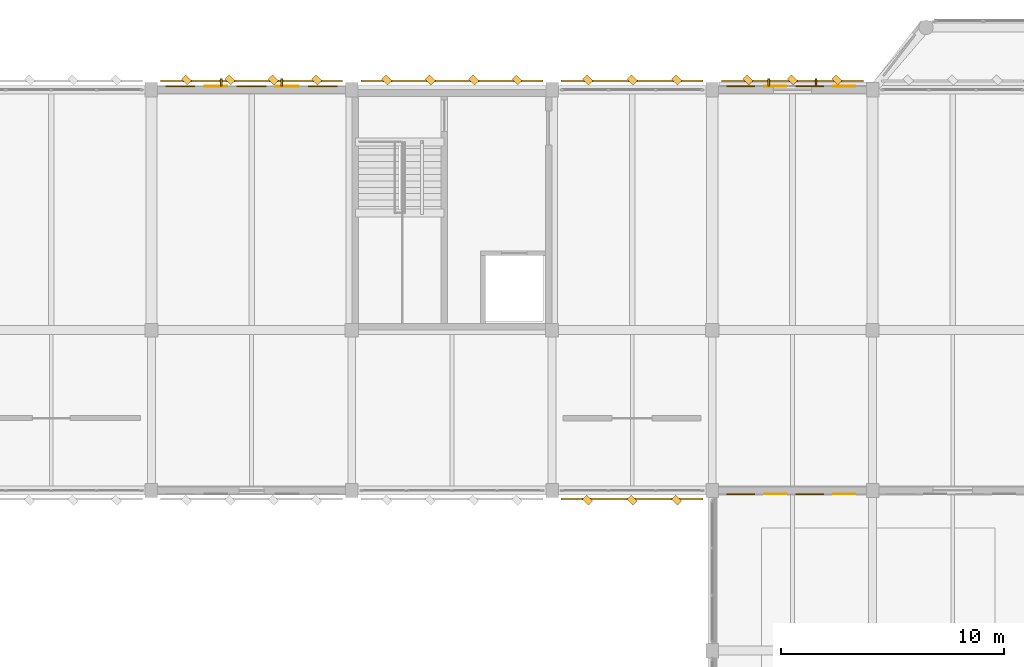
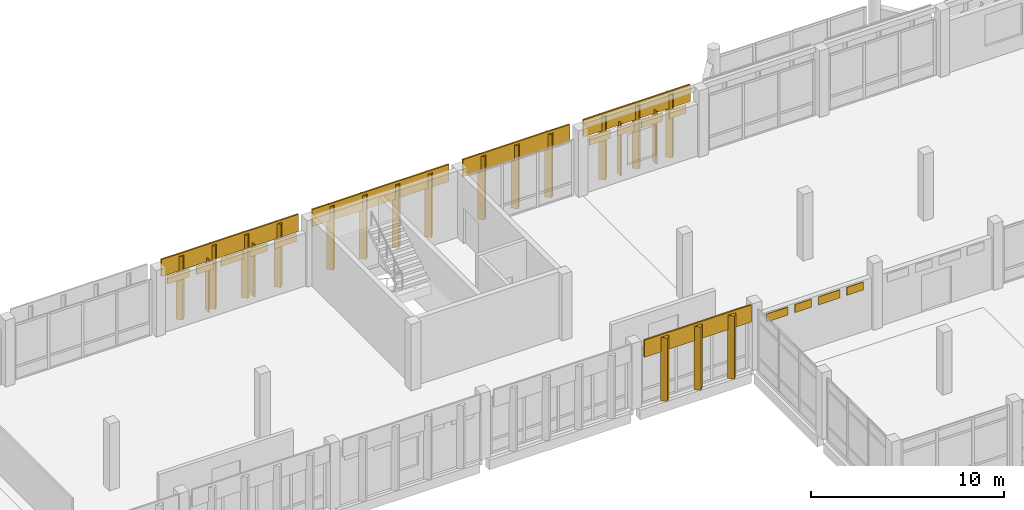
# One storey, part 152 of 158: 39 coverings.
"""IFC4 building model written with IfcOpenShell, lengths in metres."""

from ifc_helpers import new_model, si_unit, direction, frame, origin, origin_2d, place, context, subcontext, project, spatial, rectangle, extrude, material, layer, layer_set, type_object, element, save


model = new_model("IFC4")

# Units and contexts
model_context = context("Model", 3, precision=1e-05, world=origin(), true_north=direction((0.0, 1.0)))
body_context = subcontext(model_context, "Body", "Model", "MODEL_VIEW")
ifc_project = project(units=[si_unit("LENGTHUNIT", "METRE"), si_unit("AREAUNIT", "SQUARE_METRE"), si_unit("VOLUMEUNIT", "CUBIC_METRE"), si_unit("PLANEANGLEUNIT", "RADIAN"), si_unit("MASSUNIT", "GRAM", prefix="KILO")], contexts=[model_context])

# Site, building, storey
site_placement = place(None, origin())
site = spatial("IfcSite", under=ifc_project, at=site_placement, CompositionType="ELEMENT")
building_placement = place(site_placement, origin())
building = spatial("IfcBuilding", under=site, at=building_placement, Name="Lusvemor Sports Hall", CompositionType="ELEMENT")
storey_placement = place(building_placement, frame((0.0, 0.0, 10.800048828125)))
storey = spatial("IfcBuildingStorey", under=building, at=storey_placement, Name="L02", CompositionType="ELEMENT", Elevation=10.800048828125)

# Coverings
ifc_material_1 = material(Name="Emerald polychrome glazed ceramic cladding on Concrete C40/50 backing", Category="concrete")
ifc_layer_1 = layer(ifc_material_1, 0.0458984375)
ifc_layer_set_1 = layer_set([ifc_layer_1], Name="Emerald polychrome glazed ceramic cladding on Concrete C40/50 backing")
covering_type_1 = type_object("IfcCoveringType", Name="CLAD_WAVE_EMERALD", PredefinedType="CLADDING", material=ifc_layer_set_1)
for number, where, z_axis, x_axis, name in (
    (1, (94.89990234375, 115.365478515625, 2.7451171875), (0.0, 0.0, 1.0), (1.0, 0.0, 0.0), "Art Nouveau Patterned Cladding PS-EW-L02-N-1-9-1"),
    (2, (98.10009765625, 115.365478515625, 2.7451171875), (0.0, 0.0, 1.0), (1.0, 0.0, 0.0), "Art Nouveau Patterned Cladding PS-EW-L02-N-1-9-3"),
    (3, (101.300048828125, 115.365478515625, 2.7451171875), (0.0, 0.0, 1.0), (1.0, 0.0, 0.0), "Art Nouveau Patterned Cladding PS-EW-L02-N-1-9-5"),
):
    element("IfcCovering", number, at=place(storey_placement, frame(where, z_axis=z_axis, x_axis=x_axis)), inside=storey, type_object=covering_type_1, Name=name, PredefinedType="CLADDING", context=body_context, shape_type="SweptSolid", body=[
        extrude(rectangle(XDim=1.31201171875, YDim=0.0458984375, at=origin_2d()), origin(), (0.0, 0.0, 1.0), 0.510009765625),
    ])
for number, where, z_axis, x_axis, name in (
    (4, (120.074951171875, 115.365478515625, 2.68994140625), (0.0, 0.0, 1.0), (1.0, 0.0, 0.0), "Art Nouveau Patterned Cladding PS-EW-L02-N-1-12-1"),
    (5, (123.175048828125, 115.365478515625, 2.68994140625), (0.0, 0.0, 1.0), (1.0, 0.0, 0.0), "Art Nouveau Patterned Cladding PS-EW-L02-N-1-12-3"),
    (6, (120.074951171875, 97.034423828125, 2.64990234375), (0.0, 0.0, 1.0), (1.0, 0.0, 0.0), "Art Nouveau Patterned Cladding PS-EW-L02-S-3-10-1"),
    (7, (123.175048828125, 97.034423828125, 2.64990234375), (0.0, 0.0, 1.0), (1.0, 0.0, 0.0), "Art Nouveau Patterned Cladding PS-EW-L02-S-3-10-3"),
):
    element("IfcCovering", number, at=place(storey_placement, frame(where, z_axis=z_axis, x_axis=x_axis)), inside=storey, type_object=covering_type_1, Name=name, PredefinedType="CLADDING", context=body_context, shape_type="SweptSolid", body=[
        extrude(rectangle(XDim=1.27099609375, YDim=0.0458984375, at=origin_2d()), origin(), (0.0, 0.0, 1.0), 0.510009765625),
    ])
for number, where, z_axis, x_axis, name in (
    (8, (97.125, 115.639892578125, 0.099853515625), (0.0, 0.0, 1.0), (0.707106781187, 0.707106781187, 0.0), "Patterned Diamond Cladding Rib 759"),
    (9, (101.02490234375, 115.639892578125, 0.099853515625), (0.0, 0.0, 1.0), (0.707106781187, 0.707106781187, 0.0), "Patterned Diamond Cladding Rib 761"),
    (10, (106.125, 115.639892578125, 0.099853515625), (0.0, 0.0, 1.0), (0.707106781187, 0.707106781187, 0.0), "Patterned Diamond Cladding Rib 779"),
    (11, (110.02490234375, 115.639892578125, 0.099853515625), (0.0, 0.0, 1.0), (0.707106781187, 0.707106781187, 0.0), "Patterned Diamond Cladding Rib 781"),
    (12, (115.199951171875, 115.639892578125, 0.099853515625), (0.0, 0.0, 1.0), (0.707106781187, 0.707106781187, 0.0), "Patterned Diamond Cladding Rib 797"),
    (13, (122.39990234375, 115.639892578125, 0.099853515625), (0.0, 0.0, 1.0), (0.707106781187, 0.707106781187, 0.0), "Patterned Diamond Cladding Rib 820"),
    (14, (115.199951171875, 96.760009765625, 0.099853515625), (0.0, 0.0, 1.0), (0.707106781187, 0.707106781187, 0.0), "Patterned Diamond Cladding Rib 1372"),
):
    element("IfcCovering", number, at=place(storey_placement, frame(where, z_axis=z_axis, x_axis=x_axis)), inside=storey, type_object=covering_type_1, Name=name, PredefinedType="CLADDING", context=body_context, shape_type="SweptSolid", body=[
        extrude(rectangle(XDim=0.280029296875, YDim=0.3798828125, at=origin_2d()), origin(), (0.0, 0.0, 1.0), 4.0),
    ])
ifc_material_2 = material(Name="Warm terracotta Art Nouveau ceramic cladding on Concrete C40/50 backing", Category="masonry")
ifc_layer_2 = layer(ifc_material_2, 0.0380859375)
ifc_layer_set_2 = layer_set([ifc_layer_2], Name="Warm terracotta Art Nouveau ceramic cladding on Concrete C40/50 backing")
covering_type_2 = type_object("IfcCoveringType", Name="CLAD_WAVE_OCHRE", PredefinedType="CLADDING", material=ifc_layer_set_2)
for number, where, z_axis, x_axis, name in (
    (15, (96.5, 115.361572265625, 2.7451171875), (0.0, 0.0, 1.0), (1.0, 0.0, 0.0), "Art Nouveau Patterned Cladding PS-EW-L02-N-1-9-2"),
    (16, (99.699951171875, 115.361572265625, 2.7451171875), (0.0, 0.0, 1.0), (1.0, 0.0, 0.0), "Art Nouveau Patterned Cladding PS-EW-L02-N-1-9-4"),
):
    element("IfcCovering", number, at=place(storey_placement, frame(where, z_axis=z_axis, x_axis=x_axis)), inside=storey, type_object=covering_type_2, Name=name, PredefinedType="CLADDING", context=body_context, shape_type="SweptSolid", body=[
        extrude(rectangle(XDim=1.02392578125, YDim=0.0380859375, at=origin_2d()), origin(), (0.0, 0.0, 1.0), 0.510009765625),
    ])
for number, where, z_axis, x_axis, name in (
    (17, (121.625, 115.361572265625, 2.68994140625), (0.0, 0.0, 1.0), (1.0, 0.0, 0.0), "Art Nouveau Patterned Cladding PS-EW-L02-N-1-12-2"),
    (18, (124.72509765625, 115.361572265625, 2.68994140625), (0.0, 0.0, 1.0), (1.0, 0.0, 0.0), "Art Nouveau Patterned Cladding PS-EW-L02-N-1-12-4"),
    (19, (121.625, 97.03857421875, 2.64990234375), (0.0, 0.0, 1.0), (1.0, 0.0, 0.0), "Art Nouveau Patterned Cladding PS-EW-L02-S-3-10-2"),
    (20, (124.72509765625, 97.03857421875, 2.64990234375), (0.0, 0.0, 1.0), (1.0, 0.0, 0.0), "Art Nouveau Patterned Cladding PS-EW-L02-S-3-10-4"),
):
    element("IfcCovering", number, at=place(storey_placement, frame(where, z_axis=z_axis, x_axis=x_axis)), inside=storey, type_object=covering_type_2, Name=name, PredefinedType="CLADDING", context=body_context, shape_type="SweptSolid", body=[
        extrude(rectangle(XDim=0.991943359375, YDim=0.0380859375, at=origin_2d()), origin(), (0.0, 0.0, 1.0), 0.510009765625),
    ])
for number, where, z_axis, x_axis, name in (
    (21, (98.10009765625, 115.590087890625, 3.179931640625), (0.0, 0.0, 1.0), (1.0, 0.0, 0.0), "Art Nouveau Spandrel Cornice 757"),
    (22, (107.10009765625, 115.590087890625, 3.179931640625), (0.0, 0.0, 1.0), (1.0, 0.0, 0.0), "Art Nouveau Spandrel Cornice 777"),
):
    element("IfcCovering", number, at=place(storey_placement, frame(where, z_axis=z_axis, x_axis=x_axis)), inside=storey, type_object=covering_type_2, Name=name, PredefinedType="CLADDING", context=body_context, shape_type="SweptSolid", body=[
        extrude(rectangle(XDim=8.179931640625, YDim=0.090087890625, at=origin_2d()), origin(), (0.0, 0.0, 1.0), 1.080078125),
    ])
for number, where, z_axis, x_axis, name in (
    (23, (115.199951171875, 115.590087890625, 3.179931640625), (0.0, 0.0, 1.0), (1.0, 0.0, 0.0), "Art Nouveau Spandrel Cornice 795"),
    (24, (122.39990234375, 115.590087890625, 3.179931640625), (0.0, 0.0, 1.0), (1.0, 0.0, 0.0), "Art Nouveau Spandrel Cornice 818"),
    (25, (115.199951171875, 96.81005859375, 3.179931640625), (0.0, 0.0, 1.0), (1.0, 0.0, 0.0), "Art Nouveau Spandrel Cornice 1370"),
):
    element("IfcCovering", number, at=place(storey_placement, frame(where, z_axis=z_axis, x_axis=x_axis)), inside=storey, type_object=covering_type_2, Name=name, PredefinedType="CLADDING", context=body_context, shape_type="SweptSolid", body=[
        extrude(rectangle(XDim=6.3798828125, YDim=0.090087890625, at=origin_2d()), origin(), (0.0, 0.0, 1.0), 1.080078125),
    ])
ifc_material_3 = material(Name="Emerald polychrome glazed ceramic cladding on Concrete C40/50 backing", Category="concrete")
ifc_layer_3 = layer(ifc_material_3, 0.35009765625)
ifc_layer_set_3 = layer_set([ifc_layer_3], Name="Emerald polychrome glazed ceramic cladding on Concrete C40/50 backing")
covering_type_3 = type_object("IfcCoveringType", Name="FIN_BRISE_CER_350", PredefinedType="MOLDING", material=ifc_layer_set_3)
for number, where, z_axis, x_axis, name in (
    (26, (96.739990234375, 115.527587890625, 0.10009765625), (0.0, 0.0, 1.0), (1.0, 0.0, 0.0), "Wing Brise-Soleil Fin L02-N-1-9-1"),
    (27, (99.4599609375, 115.527587890625, 0.10009765625), (0.0, 0.0, 1.0), (1.0, 0.0, 0.0), "Wing Brise-Soleil Fin L02-N-1-9-2"),
    (28, (121.340087890625, 115.527587890625, 0.10009765625), (0.0, 0.0, 1.0), (1.0, 0.0, 0.0), "Wing Brise-Soleil Fin L02-N-1-12-1"),
    (29, (123.4599609375, 115.527587890625, 0.10009765625), (0.0, 0.0, 1.0), (1.0, 0.0, 0.0), "Wing Brise-Soleil Fin L02-N-1-12-2"),
):
    element("IfcCovering", number, at=place(storey_placement, frame(where, z_axis=z_axis, x_axis=x_axis)), inside=storey, type_object=covering_type_3, Name=name, PredefinedType="MOLDING", context=body_context, shape_type="SweptSolid", body=[
        extrude(rectangle(XDim=0.080078125, YDim=0.35009765625, at=origin_2d()), origin(), (0.0, 0.0, 1.0), 3.320068359375),
    ])
ifc_material_4 = material(Name="Warm terracotta Art Nouveau ceramic cladding on Concrete C40/50 backing", Category="masonry")
ifc_layer_4 = layer(ifc_material_4, 0.449951171875)
ifc_layer_set_4 = layer_set([ifc_layer_4], Name="Warm terracotta Art Nouveau ceramic cladding on Concrete C40/50 backing")
covering_type_4 = type_object("IfcCoveringType", Name="FIN_BRISE_CER_450", PredefinedType="MOLDING", material=ifc_layer_set_4)
for number, where, z_axis, x_axis, name in (
    (30, (95.175048828125, 115.639892578125, 0.099853515625), (0.0, 0.0, 1.0), (0.707106781187, 0.707106781187, 0.0), "Patterned Diamond Cladding Rib 758"),
    (31, (99.074951171875, 115.639892578125, 0.099853515625), (0.0, 0.0, 1.0), (0.707106781187, 0.707106781187, 0.0), "Patterned Diamond Cladding Rib 760"),
    (32, (104.175048828125, 115.639892578125, 0.099853515625), (0.0, 0.0, 1.0), (0.707106781187, 0.707106781187, 0.0), "Patterned Diamond Cladding Rib 778"),
    (33, (108.074951171875, 115.639892578125, 0.099853515625), (0.0, 0.0, 1.0), (0.707106781187, 0.707106781187, 0.0), "Patterned Diamond Cladding Rib 780"),
    (34, (113.199951171875, 115.639892578125, 0.099853515625), (0.0, 0.0, 1.0), (0.707106781187, 0.707106781187, 0.0), "Patterned Diamond Cladding Rib 796"),
    (35, (117.199951171875, 115.639892578125, 0.099853515625), (0.0, 0.0, 1.0), (0.707106781187, 0.707106781187, 0.0), "Patterned Diamond Cladding Rib 798"),
    (36, (120.39990234375, 115.639892578125, 0.099853515625), (0.0, 0.0, 1.0), (0.707106781187, 0.707106781187, 0.0), "Patterned Diamond Cladding Rib 819"),
    (37, (124.39990234375, 115.639892578125, 0.099853515625), (0.0, 0.0, 1.0), (0.707106781187, 0.707106781187, 0.0), "Patterned Diamond Cladding Rib 821"),
    (38, (113.199951171875, 96.760009765625, 0.099853515625), (0.0, 0.0, 1.0), (0.707106781187, 0.707106781187, 0.0), "Patterned Diamond Cladding Rib 1371"),
    (39, (117.199951171875, 96.760009765625, 0.099853515625), (0.0, 0.0, 1.0), (0.707106781187, 0.707106781187, 0.0), "Patterned Diamond Cladding Rib 1373"),
):
    element("IfcCovering", number, at=place(storey_placement, frame(where, z_axis=z_axis, x_axis=x_axis)), inside=storey, type_object=covering_type_4, Name=name, PredefinedType="MOLDING", context=body_context, shape_type="SweptSolid", body=[
        extrude(rectangle(XDim=0.280029296875, YDim=0.3798828125, at=origin_2d()), origin(), (0.0, 0.0, 1.0), 4.0),
    ])

save(model, "model.ifc")
